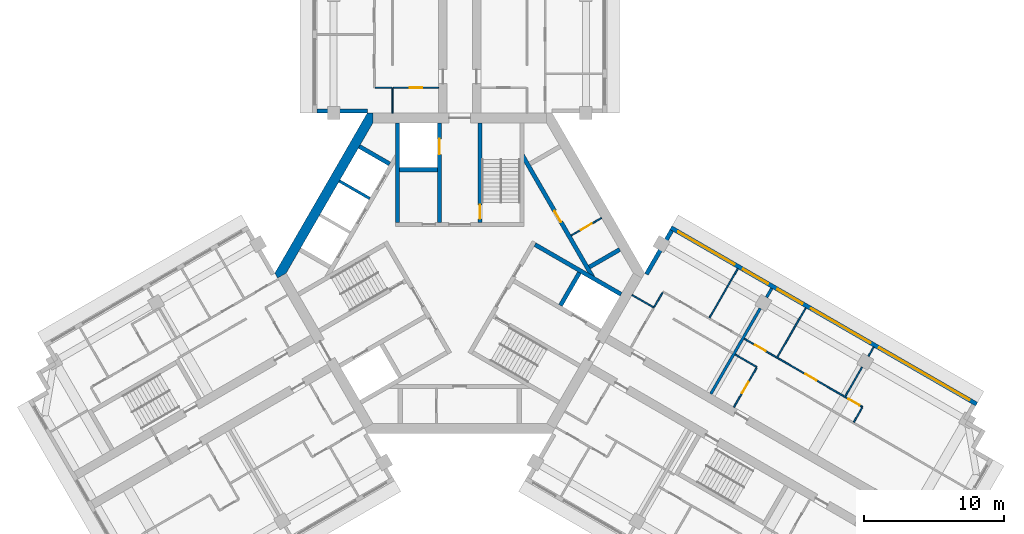
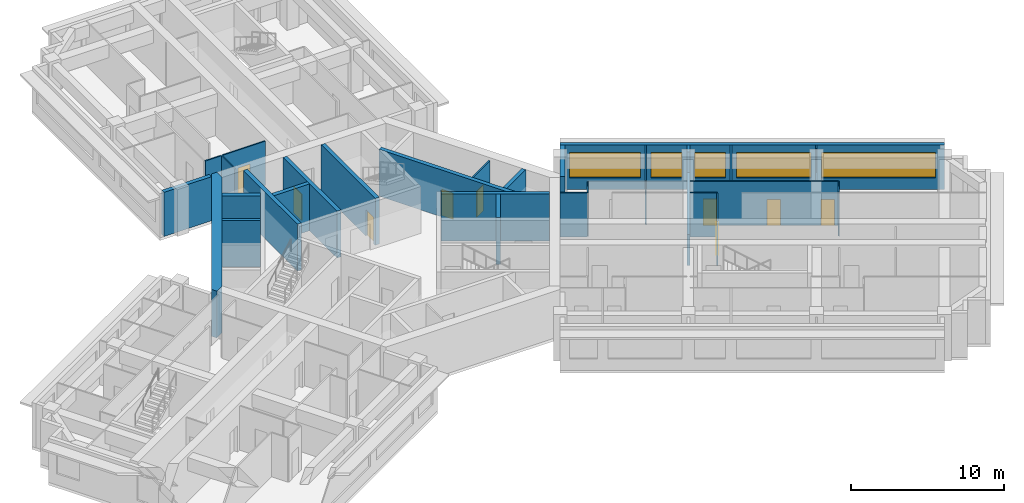
# One storey, part 6 of 10: 30 walls, 9 doors, 5 windows, 14 openings.
"""IFC4 building model written with IfcOpenShell, lengths in metres."""

import ifcopenshell
import ifcopenshell.guid

model = None  # the IFC model being written
_history = None  # IfcOwnerHistory: only IFC2X3 demands one
_inside = {}  # id of a spatial element -> (the spatial element, [elements in it])
_under = {}  # id of a project, library or spatial element -> (it, [spatial elements below it])
_declared = {}  # id of a project -> (the project, [libraries it declares])
_typed = {}  # id of a type object -> (the type object, [elements of that type])
_made_of = {}  # id of a material, layer set ... -> (it, [elements and type objects made of it])


def new_model(schema):
    """Start an empty IFC model of exactly this schema.

    Asked for "IFC4X3", IfcOpenShell would pick the latest addendum, in which some entities
    have other attributes; the version numbers below select the first issue.
    IFC2X3 requires an IfcOwnerHistory on every rooted entity: one is made here for all.
    """
    global model, _history
    if schema == "IFC4X3":
        model = ifcopenshell.file(schema_version=(4, 3, 0, 0))
    else:
        model = ifcopenshell.file(schema=schema)
    _inside.clear()
    _under.clear()
    _declared.clear()
    _typed.clear()
    _made_of.clear()
    _history = None
    if model.schema == "IFC2X3":
        org = make("IfcOrganization", Name="unknown")
        user = make(
            "IfcPersonAndOrganization",
            ThePerson=make("IfcPerson", FamilyName="unknown"),
            TheOrganization=org,
        )
        app = make(
            "IfcApplication",
            ApplicationDeveloper=org,
            Version="unknown",
            ApplicationFullName="unknown",
            ApplicationIdentifier="unknown",
        )
        _history = make(
            "IfcOwnerHistory",
            OwningUser=user,
            OwningApplication=app,
            ChangeAction="ADDED",
            CreationDate=0,
        )
    return model


def make(cls, **values):
    """One entity of the class cls with the attributes given. An attribute that is None is left unset."""
    return model.create_entity(
        cls, **{name: value for name, value in values.items() if value is not None}
    )


def rooted(cls, **values):
    """An entity with a GlobalId (a new one), such as an element, a storey or a relation."""
    return make(cls, GlobalId=ifcopenshell.guid.new(), OwnerHistory=_history, **values)


def si_unit(unit_type, name, prefix=None):
    """IfcSIUnit, for example si_unit("LENGTHUNIT", "METRE", prefix="MILLI")."""
    return make("IfcSIUnit", UnitType=unit_type, Prefix=prefix, Name=name)


def assignment(units):
    """IfcUnitAssignment: the units of a project."""
    return None if units is None else make("IfcUnitAssignment", Units=units)


def point(xyz):
    """IfcCartesianPoint."""
    return None if xyz is None else make("IfcCartesianPoint", Coordinates=xyz)


def direction(xyz):
    """IfcDirection."""
    return None if xyz is None else make("IfcDirection", DirectionRatios=xyz)


def frame(location, z_axis=None, x_axis=None):
    """IfcAxis2Placement3D, a coordinate frame: its origin and axes. An axis left out is left unset."""
    return make(
        "IfcAxis2Placement3D",
        Location=point(location),
        Axis=direction(z_axis),
        RefDirection=direction(x_axis),
    )


def frame_2d(location, x_axis=None):
    """IfcAxis2Placement2D, a coordinate frame in the plane: its origin and x axis."""
    return make(
        "IfcAxis2Placement2D", Location=point(location), RefDirection=direction(x_axis)
    )


def origin():
    """The frame at (0, 0, 0) with its axes left unset."""
    return frame((0.0, 0.0, 0.0))


def place(relative_to, where):
    """IfcLocalPlacement: puts the frame where relative to a parent placement (None: the world)."""
    return make(
        "IfcLocalPlacement", PlacementRelTo=relative_to, RelativePlacement=where
    )


def context(
    kind, dimensions, precision=None, world=None, true_north=None, identifier=None
):
    """IfcGeometricRepresentationContext, for example the 3D "Model" context."""
    return make(
        "IfcGeometricRepresentationContext",
        ContextIdentifier=identifier,
        ContextType=kind,
        CoordinateSpaceDimension=dimensions,
        Precision=precision,
        WorldCoordinateSystem=world,
        TrueNorth=true_north,
    )


def subcontext(parent, identifier, kind, view, scale=None):
    """IfcGeometricRepresentationSubContext, for example "Body" below "Model"."""
    return make(
        "IfcGeometricRepresentationSubContext",
        ContextIdentifier=identifier,
        ContextType=kind,
        ParentContext=parent,
        TargetScale=scale,
        TargetView=view,
    )


def project(units=None, contexts=None):
    """IfcProject with its units and contexts."""
    return rooted(
        "IfcProject",
        Name="project",
        RepresentationContexts=contexts,
        UnitsInContext=assignment(units),
    )


def spatial(cls, under=None, at=None, **own):
    """A site, building, storey or space (cls), placed at a placement, below another one or the project."""
    s = rooted(cls, ObjectPlacement=at, **own)
    if under is not None:
        _under.setdefault(under.id(), (under, []))[1].append(s)
    return s


def polyline(points):
    """IfcPolyline through the points."""
    return make("IfcPolyline", Points=[point(p) for p in points])


def profile(cls, at=None, kind="AREA", **sizes):
    """A parametric profile (cls). Its sizes go by their IFC names, for example OverallWidth=200.0."""
    return make(cls, ProfileType=kind, Position=at, **sizes)


def rectangle(**sizes):
    """IfcRectangleProfileDef."""
    return profile("IfcRectangleProfileDef", **sizes)


def outline(outer, holes=None, kind="AREA"):
    """IfcArbitraryClosedProfileDef: a profile drawn as a closed curve; with holes, ...WithVoids."""
    if holes is None:
        return make("IfcArbitraryClosedProfileDef", ProfileType=kind, OuterCurve=outer)
    return make(
        "IfcArbitraryProfileDefWithVoids",
        ProfileType=kind,
        OuterCurve=outer,
        InnerCurves=holes,
    )


def extrude(swept, where, along, depth):
    """IfcExtrudedAreaSolid: the profile swept, set in the frame where, extruded along a direction by depth."""
    return make(
        "IfcExtrudedAreaSolid",
        SweptArea=swept,
        Position=where,
        ExtrudedDirection=direction(along),
        Depth=depth,
    )


def shape(context_of_items, identifier, shape_type, items):
    """IfcShapeRepresentation: the items that make up one representation, for example the "Body"."""
    return make(
        "IfcShapeRepresentation",
        ContextOfItems=context_of_items,
        RepresentationIdentifier=identifier,
        RepresentationType=shape_type,
        Items=items,
    )


def material(Name=None, Category=None):
    """IfcMaterial."""
    return make("IfcMaterial", Name=Name, Category=Category)


def layer(
    of_material, thickness, ventilated=None, Name=None, Category=None, Priority=None
):
    """IfcMaterialLayer: one layer of a wall or slab, of a material (None: an air gap)."""
    return make(
        "IfcMaterialLayer",
        Material=of_material,
        LayerThickness=thickness,
        IsVentilated=ventilated,
        Name=Name,
        Category=Category,
        Priority=Priority,
    )


def layer_set(layers, Name=None):
    """IfcMaterialLayerSet."""
    return make("IfcMaterialLayerSet", MaterialLayers=layers, LayerSetName=Name)


def made_of(thing, what):
    """Note that an element or type object is made of a material, layer set ...; save() writes the relation."""
    if what is not None:
        _made_of.setdefault(what.id(), (what, []))[1].append(thing)
    return thing


def type_object(cls, material=None, **own):
    """A type object (cls), such as IfcWallType, which elements share."""
    return made_of(rooted(cls, **own), material)


def element(
    cls,
    number,
    at=None,
    inside=None,
    cuts=None,
    type_object=None,
    material=None,
    context=None,
    identifier="Body",
    shape_type=None,
    held_by="IfcProductDefinitionShape",
    body=None,
    shapes=None,
    **own,
):
    """One element of the class cls, such as IfcWall. Its Tag is "e" and its number.

    at: its placement. inside: the storey or other place that contains it. cuts: it is an
    opening in that element (IfcRelVoidsElement). A single representation is given by context,
    identifier, shape_type and body (its items); several are given by shapes. held_by: the class
    of the entity that holds the representations. save() writes the other relations.
    """
    e = rooted(cls, Tag="e%d" % number, ObjectPlacement=at, **own)
    if body is not None:
        shapes = [shape(context, identifier, shape_type, body)]
    if shapes is not None:
        e.Representation = make(held_by, Representations=shapes)
    if inside is not None:
        _inside.setdefault(inside.id(), (inside, []))[1].append(e)
    if cuts is not None:
        rooted(
            "IfcRelVoidsElement", RelatingBuildingElement=cuts, RelatedOpeningElement=e
        )
    if type_object is not None:
        _typed.setdefault(type_object.id(), (type_object, []))[1].append(e)
    return made_of(e, material)


def fill(opening, filler):
    """IfcRelFillsElement: the door or window that sits in an opening."""
    return rooted(
        "IfcRelFillsElement",
        RelatingOpeningElement=opening,
        RelatedBuildingElement=filler,
    )


def aggregate(whole, parts):
    """IfcRelAggregates: a whole, such as a stair, and the parts it consists of."""
    return rooted("IfcRelAggregates", RelatingObject=whole, RelatedObjects=parts)


def save(model, path):
    """Write the relations noted so far, then the file.

    IfcRelAggregates (storeys below a building ...), IfcRelContainedInSpatialStructure (elements
    in a storey), IfcRelDefinesByType, IfcRelAssociatesMaterial and IfcRelDeclares: one each for
    every whole, place, type object, material and project.
    """
    for whole, parts in _under.values():
        aggregate(whole, parts)
    for where, things in _inside.values():
        rooted(
            "IfcRelContainedInSpatialStructure",
            RelatedElements=things,
            RelatingStructure=where,
        )
    for kind, things in _typed.values():
        rooted("IfcRelDefinesByType", RelatedObjects=things, RelatingType=kind)
    for what, things in _made_of.values():
        rooted("IfcRelAssociatesMaterial", RelatedObjects=things, RelatingMaterial=what)
    for by, libraries in _declared.values():
        rooted("IfcRelDeclares", RelatingContext=by, RelatedDefinitions=libraries)
    model.write(path)


model = new_model("IFC4")

# Units and contexts
model_context = context("Model", 3, precision=1e-05, world=origin(), true_north=direction((0.0, 1.0)))
body_context = subcontext(model_context, "Body", "Model", "MODEL_VIEW")
ifc_project = project(units=[si_unit("LENGTHUNIT", "METRE"), si_unit("AREAUNIT", "SQUARE_METRE"), si_unit("VOLUMEUNIT", "CUBIC_METRE"), si_unit("PLANEANGLEUNIT", "RADIAN"), si_unit("MASSUNIT", "GRAM", prefix="KILO")], contexts=[model_context])

# Site, building, storey
site_placement = place(None, origin())
site = spatial("IfcSite", under=ifc_project, at=site_placement, CompositionType="ELEMENT")
building_placement = place(site_placement, origin())
building = spatial("IfcBuilding", under=site, at=building_placement, Name="Impinga Residences", CompositionType="ELEMENT")
storey_placement = place(building_placement, frame((0.0, 0.0, 226.0)))
storey = spatial("IfcBuildingStorey", under=building, at=storey_placement, Name="L56", CompositionType="ELEMENT", Elevation=226.0)

# Wall, opening, door
ifc_material_1 = material(Name="Concrete blockwork", Category="masonry")
ifc_layer_1 = layer(ifc_material_1, 0.10009765625)
ifc_layer_set_1 = layer_set([ifc_layer_1], Name="CP1 core room partition, blockwork 100")
wall_type_1 = type_object("IfcWallType", Name="CP1 core room partition, blockwork 100", PredefinedType="PARTITIONING", material=ifc_layer_set_1)
wall_1_placement = place(storey_placement, frame((7.95361328125, 2.686767578125, 0.0), z_axis=(0.0, 0.0, 1.0), x_axis=(0.866047370643, 0.499961950354, 0.0)))
wall_1 = element("IfcWall", 1, at=wall_1_placement, inside=storey, type_object=wall_type_1, Name="Core room partition, blockwork L56:CORE:mid:ZP1", PredefinedType="PARTITIONING", context=body_context, shape_type="SweptSolid", body=[
    extrude(rectangle(XDim=2.500244140625, YDim=0.10009765625, at=frame_2d((1.25, 0.0))), origin(), (0.0, 0.0, 1.0), 3.530029296875),
])
opening_1_placement = place(wall_1_placement, frame((0.800048828125, 0.0, 0.0)))
opening_1 = element("IfcOpeningElement", 2, at=opening_1_placement, cuts=wall_1, Name="Opening D6", PredefinedType="OPENING", context=body_context, shape_type="SweptSolid", body=[
    extrude(rectangle(XDim=0.89990234375, YDim=2.10009765625, at=frame_2d((0.449951171875, 1.050048828125))), frame((0.0, 0.06005859375, 0.0), z_axis=(0.0, -1.0, 0.0), x_axis=(1.0, 0.0, 0.0)), (0.0, 0.0, 1.0), 0.1201171875),
])
ifc_material_2 = material(Name="Timber door set", Category="wood")
door_type_1 = type_object("IfcDoorType", Name="D6 riser and store door 900x2100", OperationType="SINGLE_SWING_LEFT", PredefinedType="DOOR", material=ifc_material_2)
door_1_placement = place(opening_1_placement, origin())
door_1 = element("IfcDoor", 3, at=door_1_placement, inside=storey, type_object=door_type_1, Name="Linen store door", OperationType="SINGLE_SWING_LEFT", OverallHeight=2.10009765625, OverallWidth=0.89990234375, PredefinedType="DOOR", context=body_context, shape_type="SweptSolid", body=[
    extrude(rectangle(XDim=0.89990234375, YDim=2.10009765625, at=frame_2d((0.449951171875, 1.050048828125))), frame((0.0, 0.02490234375, 0.0), z_axis=(0.0, -1.0, 0.0), x_axis=(1.0, 0.0, 0.0)), (0.0, 0.0, 1.0), 0.050048828125),
])
fill(opening_1, door_1)

# Walls
ifc_material_3 = material(Name="Terracotta rainscreen on blockwork", Category="masonry")
ifc_layer_2 = layer(ifc_material_3, 0.300048828125)
ifc_layer_set_2 = layer_set([ifc_layer_2], Name="EW1 external wall, terracotta rainscreen on blockwork 300")
wall_type_2 = type_object("IfcWallType", Name="EW1 external wall, terracotta rainscreen on blockwork 300", PredefinedType="SOLIDWALL", material=ifc_layer_set_2)
wall_2_placement = place(storey_placement, frame((-6.60009765625, 11.58154296875, 0.0), z_axis=(0.0, 0.0, 1.0), x_axis=(-1.0, 0.0, 0.0)))
element("IfcWall", 4, at=wall_2_placement, inside=storey, type_object=wall_type_2, Name="External wall EW1 L56", PredefinedType="SOLIDWALL", context=body_context, shape_type="SweptSolid", body=[
    extrude(rectangle(XDim=3.599853515625, YDim=0.300048828125, at=frame_2d((1.7998046875, 0.0))), origin(), (0.0, 0.0, 1.0), 3.530029296875),
])
wall_3_placement = place(storey_placement, frame((13.329833984375, -0.074951171875, 0.0), z_axis=(0.0, 0.0, 1.0), x_axis=(0.500012057535, 0.866018442252, 0.0)))
element("IfcWall", 5, at=wall_3_placement, inside=storey, type_object=wall_type_2, Name="External wall EW1 L56", PredefinedType="SOLIDWALL", context=body_context, shape_type="SweptSolid", body=[
    extrude(rectangle(XDim=3.60009765625, YDim=0.300048828125, at=frame_2d((1.800048828125, 0.0))), origin(), (0.0, 0.0, 1.0), 3.530029296875),
])

# Wall, openings, windows
wall_4_placement = place(storey_placement, frame((15.074951171875, 3.24755859375, 0.0), z_axis=(0.0, 0.0, 1.0), x_axis=(0.86602925447, -0.499993330357, 0.0)))
wall_4 = element("IfcWall", 6, at=wall_4_placement, inside=storey, type_object=wall_type_2, Name="External wall EW1 L56", PredefinedType="SOLIDWALL", context=body_context, shape_type="SweptSolid", body=[
    extrude(rectangle(XDim=25.199951171875, YDim=0.300048828125, at=frame_2d((12.60009765625, 0.0))), origin(), (0.0, 0.0, 1.0), 3.530029296875),
])
opening_2_placement = place(wall_4_placement, frame((0.60009765625, 0.0, 0.89990234375)))
opening_2 = element("IfcOpeningElement", 7, at=opening_2_placement, cuts=wall_4, Name="Opening W10", PredefinedType="OPENING", context=body_context, shape_type="SweptSolid", body=[
    extrude(rectangle(XDim=4.64990234375, YDim=2.050048828125, at=frame_2d((2.324951171875, 1.02490234375))), frame((0.0, 0.159912109375, 0.0), z_axis=(0.0, -1.0, 0.0), x_axis=(1.0, 0.0, 0.0)), (0.0, 0.0, 1.0), 0.320068359375),
])
opening_3_placement = place(wall_4_placement, frame((5.949951171875, 0.0, 0.89990234375)))
opening_3 = element("IfcOpeningElement", 8, at=opening_3_placement, cuts=wall_4, Name="Opening W14", PredefinedType="OPENING", context=body_context, shape_type="SweptSolid", body=[
    extrude(rectangle(XDim=2.050048828125, YDim=2.050048828125, at=frame_2d((1.02490234375, 1.02490234375))), frame((0.0, 0.159912109375, 0.0), z_axis=(0.0, -1.0, 0.0), x_axis=(1.0, 0.0, 0.0)), (0.0, 0.0, 1.0), 0.320068359375),
])
opening_4_placement = place(wall_4_placement, frame((8.800048828125, 0.0, 0.89990234375)))
opening_4 = element("IfcOpeningElement", 9, at=opening_4_placement, cuts=wall_4, Name="Opening W14", PredefinedType="OPENING", context=body_context, shape_type="SweptSolid", body=[
    extrude(rectangle(XDim=2.050048828125, YDim=2.050048828125, at=frame_2d((1.02490234375, 1.02490234375))), frame((0.0, 0.159912109375, 0.0), z_axis=(0.0, -1.0, 0.0), x_axis=(1.0, 0.0, 0.0)), (0.0, 0.0, 1.0), 0.320068359375),
])
opening_5_placement = place(wall_4_placement, frame((11.550048828125, 0.0, 0.89990234375)))
opening_5 = element("IfcOpeningElement", 10, at=opening_5_placement, cuts=wall_4, Name="Opening W16", PredefinedType="OPENING", context=body_context, shape_type="SweptSolid", body=[
    extrude(rectangle(XDim=4.89990234375, YDim=2.050048828125, at=frame_2d((2.449951171875, 1.02490234375))), frame((0.0, 0.159912109375, 0.0), z_axis=(0.0, -1.0, 0.0), x_axis=(1.0, 0.0, 0.0)), (0.0, 0.0, 1.0), 0.320068359375),
])
opening_6_placement = place(wall_4_placement, frame((17.14990234375, 0.0, 0.89990234375)))
opening_6 = element("IfcOpeningElement", 11, at=opening_6_placement, cuts=wall_4, Name="Opening W7", PredefinedType="OPENING", context=body_context, shape_type="SweptSolid", body=[
    extrude(rectangle(XDim=7.449951171875, YDim=2.050048828125, at=frame_2d((3.72509765625, 1.02490234375))), frame((0.0, 0.159912109375, 0.0), z_axis=(0.0, -1.0, 0.0), x_axis=(1.0, 0.0, 0.0)), (0.0, 0.0, 1.0), 0.320068359375),
])
ifc_material_4 = material(Name="Aluminium window, clear double glazing", Category="aluminium")
window_type_1 = type_object("IfcWindowType", Name="W10 ribbon window 4650x2050", PartitioningType="SINGLE_PANEL", PredefinedType="WINDOW", material=ifc_material_4)
window_1_placement = place(opening_2_placement, origin())
window_1 = element("IfcWindow", 12, at=window_1_placement, inside=storey, type_object=window_type_1, Name="Window L56", OverallHeight=2.050048828125, OverallWidth=4.64990234375, PartitioningType="SINGLE_PANEL", PredefinedType="WINDOW", context=body_context, shape_type="SweptSolid", body=[
    extrude(rectangle(XDim=4.64990234375, YDim=2.050048828125, at=frame_2d((2.324951171875, 1.02490234375))), frame((0.0, 0.030029296875, 0.0), z_axis=(0.0, -1.0, 0.0), x_axis=(1.0, 0.0, 0.0)), (0.0, 0.0, 1.0), 0.06005859375),
])
fill(opening_2, window_1)
window_type_2 = type_object("IfcWindowType", Name="W14 ribbon window 2050x2050", PartitioningType="SINGLE_PANEL", PredefinedType="WINDOW", material=ifc_material_4)
window_2_placement = place(opening_3_placement, origin())
window_2 = element("IfcWindow", 13, at=window_2_placement, inside=storey, type_object=window_type_2, Name="Window L56", OverallHeight=2.050048828125, OverallWidth=2.050048828125, PartitioningType="SINGLE_PANEL", PredefinedType="WINDOW", context=body_context, shape_type="SweptSolid", body=[
    extrude(rectangle(XDim=2.050048828125, YDim=2.050048828125, at=frame_2d((1.02490234375, 1.02490234375))), frame((0.0, 0.030029296875, 0.0), z_axis=(0.0, -1.0, 0.0), x_axis=(1.0, 0.0, 0.0)), (0.0, 0.0, 1.0), 0.06005859375),
])
fill(opening_3, window_2)
window_3_placement = place(opening_4_placement, origin())
window_3 = element("IfcWindow", 14, at=window_3_placement, inside=storey, type_object=window_type_2, Name="Window L56", OverallHeight=2.050048828125, OverallWidth=2.050048828125, PartitioningType="SINGLE_PANEL", PredefinedType="WINDOW", context=body_context, shape_type="SweptSolid", body=[
    extrude(rectangle(XDim=2.050048828125, YDim=2.050048828125, at=frame_2d((1.02490234375, 1.02490234375))), frame((0.0, 0.030029296875, 0.0), z_axis=(0.0, -1.0, 0.0), x_axis=(1.0, 0.0, 0.0)), (0.0, 0.0, 1.0), 0.06005859375),
])
fill(opening_4, window_3)
window_type_3 = type_object("IfcWindowType", Name="W16 ribbon window 4900x2050", PartitioningType="SINGLE_PANEL", PredefinedType="WINDOW", material=ifc_material_4)
window_4_placement = place(opening_5_placement, origin())
window_4 = element("IfcWindow", 15, at=window_4_placement, inside=storey, type_object=window_type_3, Name="Window L56", OverallHeight=2.050048828125, OverallWidth=4.89990234375, PartitioningType="SINGLE_PANEL", PredefinedType="WINDOW", context=body_context, shape_type="SweptSolid", body=[
    extrude(rectangle(XDim=4.89990234375, YDim=2.050048828125, at=frame_2d((2.449951171875, 1.02490234375))), frame((0.0, 0.030029296875, 0.0), z_axis=(0.0, -1.0, 0.0), x_axis=(1.0, 0.0, 0.0)), (0.0, 0.0, 1.0), 0.06005859375),
])
fill(opening_5, window_4)
window_type_4 = type_object("IfcWindowType", Name="W7 ribbon window 7450x2050", PartitioningType="SINGLE_PANEL", PredefinedType="WINDOW", material=ifc_material_4)
window_5_placement = place(opening_6_placement, origin())
window_5 = element("IfcWindow", 16, at=window_5_placement, inside=storey, type_object=window_type_4, Name="Window L56", OverallHeight=2.050048828125, OverallWidth=7.449951171875, PartitioningType="SINGLE_PANEL", PredefinedType="WINDOW", context=body_context, shape_type="SweptSolid", body=[
    extrude(rectangle(XDim=7.449951171875, YDim=2.050048828125, at=frame_2d((3.72509765625, 1.02490234375))), frame((0.0, 0.030029296875, 0.0), z_axis=(0.0, -1.0, 0.0), x_axis=(1.0, 0.0, 0.0)), (0.0, 0.0, 1.0), 0.06005859375),
])
fill(opening_6, window_5)

# Walls
ifc_material_5 = material(Name="Gypsum board on steel studs", Category="steel")
ifc_layer_3 = layer(ifc_material_5, 0.10009765625)
ifc_layer_set_3 = layer_set([ifc_layer_3], Name="Gypsum board on steel studs")
wall_type_3 = type_object("IfcWallType", Name="IP1 partition 100", PredefinedType="PARTITIONING", material=ifc_layer_set_3)
wall_5_placement = place(storey_placement, frame((-4.800048828125, 11.431640625, 0.0), z_axis=(0.0, 0.0, 1.0), x_axis=(0.0, 1.0, 0.0)))
element("IfcWall", 17, at=wall_5_placement, inside=storey, type_object=wall_type_3, Name="Partition L56-NA1:DIV0", PredefinedType="PARTITIONING", context=body_context, shape_type="SweptSolid", body=[
    extrude(rectangle(XDim=1.7998046875, YDim=0.10009765625, at=frame_2d((0.89990234375, 0.0))), origin(), (0.0, 0.0, 1.0), 3.530029296875),
])
wall_6_placement = place(storey_placement, frame((-4.85009765625, 13.2314453125, 0.0), z_axis=(0.0, 0.0, 1.0), x_axis=(-1.0, 0.0, 0.0)))
element("IfcWall", 18, at=wall_6_placement, inside=storey, type_object=wall_type_3, Name="Partition L56-NA1:SE0", PredefinedType="PARTITIONING", context=body_context, shape_type="SweptSolid", body=[
    extrude(rectangle(XDim=1.199951171875, YDim=0.10009765625, at=frame_2d((0.60009765625, 0.0))), origin(), (0.0, 0.0, 1.0), 3.530029296875),
])

# Wall, opening, door
wall_7_placement = place(storey_placement, frame((-1.5, 13.2314453125, 0.0), z_axis=(0.0, 0.0, 1.0), x_axis=(-1.0, 0.0, 0.0)))
wall_7 = element("IfcWall", 19, at=wall_7_placement, inside=storey, type_object=wall_type_3, Name="Partition L56-NA1:IB1", PredefinedType="PARTITIONING", context=body_context, shape_type="SweptSolid", body=[
    extrude(rectangle(XDim=3.25, YDim=0.10009765625, at=frame_2d((1.625, 0.0))), origin(), (0.0, 0.0, 1.0), 3.530029296875),
])
opening_7_placement = place(wall_7_placement, frame((1.175048828125, 0.0, 0.0)))
opening_7 = element("IfcOpeningElement", 20, at=opening_7_placement, cuts=wall_7, Name="Opening D2", PredefinedType="OPENING", context=body_context, shape_type="SweptSolid", body=[
    extrude(rectangle(XDim=0.89990234375, YDim=2.10009765625, at=frame_2d((0.449951171875, 1.050048828125))), frame((0.0, 0.06005859375, 0.0), z_axis=(0.0, -1.0, 0.0), x_axis=(1.0, 0.0, 0.0)), (0.0, 0.0, 1.0), 0.1201171875),
])
door_type_2 = type_object("IfcDoorType", Name="D2 internal door 900x2100", OperationType="SINGLE_SWING_LEFT", PredefinedType="DOOR", material=ifc_material_2)
door_2_placement = place(opening_7_placement, origin())
door_2 = element("IfcDoor", 21, at=door_2_placement, inside=storey, type_object=door_type_2, Name="Apartment L56-NA1 bathroom door", OperationType="SINGLE_SWING_LEFT", OverallHeight=2.10009765625, OverallWidth=0.89990234375, PredefinedType="DOOR", context=body_context, shape_type="SweptSolid", body=[
    extrude(rectangle(XDim=0.89990234375, YDim=2.10009765625, at=frame_2d((0.449951171875, 1.050048828125))), frame((0.0, 0.02490234375, 0.0), z_axis=(0.0, -1.0, 0.0), x_axis=(1.0, 0.0, 0.0)), (0.0, 0.0, 1.0), 0.050048828125),
])
fill(opening_7, door_2)

# Walls
wall_8_placement = place(storey_placement, frame((12.300048828125, -1.558837890625, 0.0), z_axis=(0.0, 0.0, 1.0), x_axis=(0.866047807691, -0.499961193289, 0.0)))
element("IfcWall", 22, at=wall_8_placement, inside=storey, type_object=wall_type_3, Name="Partition L56-EA1:DIV0", PredefinedType="PARTITIONING", context=body_context, shape_type="SweptSolid", body=[
    extrude(rectangle(XDim=1.800048828125, YDim=0.10009765625, at=frame_2d((0.89990234375, 0.0))), origin(), (0.0, 0.0, 1.0), 3.530029296875),
])
wall_9_placement = place(storey_placement, frame((13.8837890625, -2.41552734375, 0.0), z_axis=(0.0, 0.0, 1.0), x_axis=(0.500033551112, 0.866006032174, 0.0)))
element("IfcWall", 23, at=wall_9_placement, inside=storey, type_object=wall_type_3, Name="Partition L56-EA1:SE0", PredefinedType="PARTITIONING", context=body_context, shape_type="SweptSolid", body=[
    extrude(rectangle(XDim=1.2001953125, YDim=0.10009765625, at=frame_2d((0.60009765625, 0.0))), origin(), (0.0, 0.0, 1.0), 3.530029296875),
])
wall_10_placement = place(storey_placement, frame((17.82470703125, -3.189697265625, 0.0), z_axis=(0.0, 0.0, 1.0), x_axis=(0.500035537042, 0.866004885491, 0.0)))
element("IfcWall", 24, at=wall_10_placement, inside=storey, type_object=wall_type_3, Name="Partition L56-EA1:OB1", PredefinedType="PARTITIONING", context=body_context, shape_type="SweptSolid", body=[
    extrude(rectangle(XDim=4.050048828125, YDim=0.10009765625, at=frame_2d((2.02490234375, 0.0))), origin(), (0.0, 0.0, 1.0), 3.530029296875),
])
wall_11_placement = place(storey_placement, frame((19.6611328125, -5.808837890625, 0.0), z_axis=(0.0, 0.0, 1.0), x_axis=(0.866047807691, -0.499961193289, 0.0)))
element("IfcWall", 25, at=wall_11_placement, inside=storey, type_object=wall_type_3, Name="Partition L56-EA2:DIV0", PredefinedType="PARTITIONING", context=body_context, shape_type="SweptSolid", body=[
    extrude(rectangle(XDim=1.800048828125, YDim=0.10009765625, at=frame_2d((0.89990234375, 0.0))), origin(), (0.0, 0.0, 1.0), 3.530029296875),
])

# Wall, openings, doors
wall_12_placement = place(storey_placement, frame((20.311279296875, -4.68310546875, 0.0), z_axis=(0.0, 0.0, 1.0), x_axis=(0.866021707014, -0.500006402939, 0.0)))
wall_12 = element("IfcWall", 26, at=wall_12_placement, inside=storey, type_object=wall_type_3, Name="Partition L56-EA2:STRIP", PredefinedType="PARTITIONING", context=body_context, shape_type="SweptSolid", body=[
    extrude(rectangle(XDim=9.749755859375, YDim=0.10009765625, at=frame_2d((4.875, 0.0))), origin(), (0.0, 0.0, 1.0), 3.530029296875),
])
opening_8_placement = place(wall_12_placement, frame((0.875, 0.0, 0.0)))
opening_8 = element("IfcOpeningElement", 27, at=opening_8_placement, cuts=wall_12, Name="Opening D2", PredefinedType="OPENING", context=body_context, shape_type="SweptSolid", body=[
    extrude(rectangle(XDim=0.89990234375, YDim=2.10009765625, at=frame_2d((0.449951171875, 1.050048828125))), frame((0.0, 0.06005859375, 0.0), z_axis=(0.0, -1.0, 0.0), x_axis=(1.0, 0.0, 0.0)), (0.0, 0.0, 1.0), 0.1201171875),
])
opening_9_placement = place(wall_12_placement, frame((5.050048828125, 0.0, 0.0)))
opening_9 = element("IfcOpeningElement", 28, at=opening_9_placement, cuts=wall_12, Name="Opening D2", PredefinedType="OPENING", context=body_context, shape_type="SweptSolid", body=[
    extrude(rectangle(XDim=0.89990234375, YDim=2.10009765625, at=frame_2d((0.449951171875, 1.050048828125))), frame((0.0, 0.06005859375, 0.0), z_axis=(0.0, -1.0, 0.0), x_axis=(1.0, 0.0, 0.0)), (0.0, 0.0, 1.0), 0.1201171875),
])
opening_10_placement = place(wall_12_placement, frame((8.60009765625, 0.0, 0.0)))
opening_10 = element("IfcOpeningElement", 29, at=opening_10_placement, cuts=wall_12, Name="Opening D2", PredefinedType="OPENING", context=body_context, shape_type="SweptSolid", body=[
    extrude(rectangle(XDim=0.89990234375, YDim=2.10009765625, at=frame_2d((0.449951171875, 1.050048828125))), frame((0.0, 0.06005859375, 0.0), z_axis=(0.0, -1.0, 0.0), x_axis=(1.0, 0.0, 0.0)), (0.0, 0.0, 1.0), 0.1201171875),
])
door_3_placement = place(opening_8_placement, origin())
door_3 = element("IfcDoor", 30, at=door_3_placement, inside=storey, type_object=door_type_2, Name="Apartment L56-EA2 room door", OperationType="SINGLE_SWING_LEFT", OverallHeight=2.10009765625, OverallWidth=0.89990234375, PredefinedType="DOOR", context=body_context, shape_type="SweptSolid", body=[
    extrude(rectangle(XDim=0.89990234375, YDim=2.10009765625, at=frame_2d((0.449951171875, 1.050048828125))), frame((0.0, 0.02490234375, 0.0), z_axis=(0.0, -1.0, 0.0), x_axis=(1.0, 0.0, 0.0)), (0.0, 0.0, 1.0), 0.050048828125),
])
fill(opening_8, door_3)
door_4_placement = place(opening_9_placement, origin())
door_4 = element("IfcDoor", 31, at=door_4_placement, inside=storey, type_object=door_type_2, Name="Apartment L56-EA2 room door", OperationType="SINGLE_SWING_RIGHT", OverallHeight=2.10009765625, OverallWidth=0.89990234375, PredefinedType="DOOR", context=body_context, shape_type="SweptSolid", body=[
    extrude(rectangle(XDim=0.89990234375, YDim=2.10009765625, at=frame_2d((0.449951171875, 1.050048828125))), frame((0.0, 0.02490234375, 0.0), z_axis=(0.0, -1.0, 0.0), x_axis=(1.0, 0.0, 0.0)), (0.0, 0.0, 1.0), 0.050048828125),
])
fill(opening_9, door_4)
door_5_placement = place(opening_10_placement, origin())
door_5 = element("IfcDoor", 32, at=door_5_placement, inside=storey, type_object=door_type_2, Name="Apartment L56-EA2 room door", OperationType="SINGLE_SWING_RIGHT", OverallHeight=2.10009765625, OverallWidth=0.89990234375, PredefinedType="DOOR", context=body_context, shape_type="SweptSolid", body=[
    extrude(rectangle(XDim=0.89990234375, YDim=2.10009765625, at=frame_2d((0.449951171875, 1.050048828125))), frame((0.0, 0.02490234375, 0.0), z_axis=(0.0, -1.0, 0.0), x_axis=(1.0, 0.0, 0.0)), (0.0, 0.0, 1.0), 0.050048828125),
])
fill(opening_10, door_5)

# Wall
wall_13_placement = place(storey_placement, frame((28.1298828125, -10.640625, 0.0), z_axis=(0.0, 0.0, 1.0), x_axis=(0.500033551112, 0.866006032174, 0.0)))
element("IfcWall", 33, at=wall_13_placement, inside=storey, type_object=wall_type_3, Name="Partition L56-EA2:SE1", PredefinedType="PARTITIONING", context=body_context, shape_type="SweptSolid", body=[
    extrude(rectangle(XDim=1.2001953125, YDim=0.10009765625, at=frame_2d((0.60009765625, 0.0))), origin(), (0.0, 0.0, 1.0), 3.530029296875),
])

# Wall, opening, door
wall_14_placement = place(storey_placement, frame((19.570068359375, -9.566650390625, 0.0), z_axis=(0.0, 0.0, 1.0), x_axis=(0.500017246033, 0.866015446554, 0.0)))
wall_14 = element("IfcWall", 34, at=wall_14_placement, inside=storey, type_object=wall_type_3, Name="Partition L56-EA2:IB1", PredefinedType="PARTITIONING", context=body_context, shape_type="SweptSolid", body=[
    extrude(rectangle(XDim=3.25, YDim=0.10009765625, at=frame_2d((1.625, 0.0))), origin(), (0.0, 0.0, 1.0), 3.530029296875),
])
opening_11_placement = place(wall_14_placement, frame((1.175048828125, 0.0, 0.0)))
opening_11 = element("IfcOpeningElement", 35, at=opening_11_placement, cuts=wall_14, Name="Opening D2", PredefinedType="OPENING", context=body_context, shape_type="SweptSolid", body=[
    extrude(rectangle(XDim=0.89990234375, YDim=2.10009765625, at=frame_2d((0.449951171875, 1.050048828125))), frame((0.0, 0.06005859375, 0.0), z_axis=(0.0, -1.0, 0.0), x_axis=(1.0, 0.0, 0.0)), (0.0, 0.0, 1.0), 0.1201171875),
])
door_6_placement = place(opening_11_placement, origin())
door_6 = element("IfcDoor", 36, at=door_6_placement, inside=storey, type_object=door_type_2, Name="Apartment L56-EA2 bathroom door", OperationType="SINGLE_SWING_LEFT", OverallHeight=2.10009765625, OverallWidth=0.89990234375, PredefinedType="DOOR", context=body_context, shape_type="SweptSolid", body=[
    extrude(rectangle(XDim=0.89990234375, YDim=2.10009765625, at=frame_2d((0.449951171875, 1.050048828125))), frame((0.0, 0.02490234375, 0.0), z_axis=(0.0, -1.0, 0.0), x_axis=(1.0, 0.0, 0.0)), (0.0, 0.0, 1.0), 0.050048828125),
])
fill(opening_11, door_6)

# Walls
wall_15_placement = place(storey_placement, frame((22.674560546875, -5.98974609375, 0.0), z_axis=(0.0, 0.0, 1.0), x_axis=(0.499990325971, 0.866030989016, 0.0)))
element("IfcWall", 37, at=wall_15_placement, inside=storey, type_object=wall_type_3, Name="Partition L56-EA2:OB1", PredefinedType="PARTITIONING", context=body_context, shape_type="SweptSolid", body=[
    extrude(rectangle(XDim=4.0498046875, YDim=0.10009765625, at=frame_2d((2.02490234375, 0.0))), origin(), (0.0, 0.0, 1.0), 3.530029296875),
])
wall_16_placement = place(storey_placement, frame((27.524169921875, -8.789794921875, 0.0), z_axis=(0.0, 0.0, 1.0), x_axis=(0.499957262057, 0.866050077142, 0.0)))
element("IfcWall", 38, at=wall_16_placement, inside=storey, type_object=wall_type_3, Name="Partition L56-EA2:OB2", PredefinedType="PARTITIONING", context=body_context, shape_type="SweptSolid", body=[
    extrude(rectangle(XDim=2.400146484375, YDim=0.10009765625, at=frame_2d((1.2001953125, 0.0))), origin(), (0.0, 0.0, 1.0), 2.47998046875),
])
wall_17_placement = place(storey_placement, frame((29.17431640625, -5.931884765625, 0.0), z_axis=(0.0, 0.0, 1.0), x_axis=(0.499919672301, 0.866071776036, 0.0)))
element("IfcWall", 39, at=wall_17_placement, inside=storey, type_object=wall_type_3, Name="Partition L56-EA2:OB2b", PredefinedType="PARTITIONING", context=body_context, shape_type="SweptSolid", body=[
    extrude(rectangle(XDim=0.75, YDim=0.10009765625, at=frame_2d((0.375, 0.0))), origin(), (0.0, 0.0, 1.0), 3.530029296875),
])
ifc_layer_4 = layer(ifc_material_1, 0.199951171875)
ifc_layer_set_4 = layer_set([ifc_layer_4], Name="PW1 party wall between apartments 200")
wall_type_4 = type_object("IfcWallType", Name="PW1 party wall between apartments 200", PredefinedType="SOLIDWALL", material=ifc_layer_set_4)
wall_18_placement = place(storey_placement, frame((17.924560546875, -8.61669921875, 0.0), z_axis=(0.0, 0.0, 1.0), x_axis=(0.500016218704, 0.866016039709, 0.0)))
element("IfcWall", 40, at=wall_18_placement, inside=storey, type_object=wall_type_4, Name="Party wall between apartments L56-EA1:PARTY", PredefinedType="SOLIDWALL", context=body_context, shape_type="SweptSolid", body=[
    extrude(rectangle(XDim=7.050048828125, YDim=0.199951171875, at=frame_2d((3.52490234375, 0.0))), origin(), (0.0, 0.0, 1.0), 2.47998046875),
])
wall_19_placement = place(storey_placement, frame((21.899658203125, -1.73193359375, 0.0), z_axis=(0.0, 0.0, 1.0), x_axis=(0.499919672301, 0.866071776036, 0.0)))
element("IfcWall", 41, at=wall_19_placement, inside=storey, type_object=wall_type_4, Name="Party wall between apartments L56-EA1:PARTYb", PredefinedType="SOLIDWALL", context=body_context, shape_type="SweptSolid", body=[
    extrude(rectangle(XDim=0.75, YDim=0.199951171875, at=frame_2d((0.375, 0.0))), origin(), (0.0, 0.0, 1.0), 3.530029296875),
])
ifc_material_6 = material(Name="Concrete C60/75", Category="concrete")
ifc_layer_5 = layer(ifc_material_6, 0.699951171875)
ifc_layer_set_5 = layer_set([ifc_layer_5], Name="Concrete C60/75")
wall_type_5 = type_object("IfcWallType", Name="SW3 core wall 700", PredefinedType="SHEAR", material=ifc_layer_set_5)
wall_20_placement = place(storey_placement, origin())
element("IfcWall", 42, at=wall_20_placement, inside=storey, type_object=wall_type_5, Name="Core wall SW3 E:EXPOSED L56", PredefinedType="SHEAR", context=body_context, shape_type="SweptSolid", body=[
    extrude(outline(polyline([(-6.60009765625, 11.431640625), (-13.199951171875, 0.0), (-12.998046875, -0.35009765625), (-12.3916015625, 0.0), (-6.19580078125, 10.7314453125), (-6.19580078125, 11.431640625), (-6.60009765625, 11.431640625)])), origin(), (0.0, 0.0, 1.0), 3.75),
])

# Wall, opening, door
ifc_material_7 = material(Name="Concrete C70/85", Category="concrete")
ifc_layer_6 = layer(ifc_material_7, 0.300048828125)
ifc_layer_set_6 = layer_set([ifc_layer_6], Name="Concrete C70/85")
wall_type_6 = type_object("IfcWallType", Name="SW5 core inner wall, stairs, shafts and lobbies 300", PredefinedType="SHEAR", material=ifc_layer_set_6)
wall_21_placement = place(storey_placement, frame((1.449951171875, 3.6298828125, 0.0), z_axis=(0.0, 0.0, 1.0), x_axis=(0.0, 1.0, 0.0)))
wall_21 = element("IfcWall", 43, at=wall_21_placement, inside=storey, type_object=wall_type_6, Name="Core wall SW5 N:ST-IN L56", PredefinedType="SHEAR", context=body_context, shape_type="SweptSolid", body=[
    extrude(rectangle(XDim=7.1015625, YDim=0.300048828125, at=frame_2d((3.55078125, 0.0))), origin(), (0.0, 0.0, 1.0), 3.75),
])
opening_12_placement = place(wall_21_placement, frame((0.25, 0.0, 0.0)))
opening_12 = element("IfcOpeningElement", 44, at=opening_12_placement, cuts=wall_21, Name="Opening D5", PredefinedType="OPENING", context=body_context, shape_type="SweptSolid", body=[
    extrude(rectangle(XDim=1.0, YDim=2.10009765625, at=frame_2d((0.5, 1.050048828125))), frame((0.0, 0.159912109375, 0.0), z_axis=(0.0, -1.0, 0.0), x_axis=(1.0, 0.0, 0.0)), (0.0, 0.0, 1.0), 0.320068359375),
])
door_type_3 = type_object("IfcDoorType", Name="D5 stair door 1000x2100", OperationType="SINGLE_SWING_LEFT", PredefinedType="DOOR", material=ifc_material_2)
door_7_placement = place(opening_12_placement, origin())
door_7 = element("IfcDoor", 45, at=door_7_placement, inside=storey, type_object=door_type_3, Name="Stair door N", OperationType="SINGLE_SWING_LEFT", OverallHeight=2.10009765625, OverallWidth=1.0, PredefinedType="DOOR", context=body_context, shape_type="SweptSolid", body=[
    extrude(rectangle(XDim=1.0, YDim=2.10009765625, at=frame_2d((0.5, 1.050048828125))), frame((0.0, 0.02490234375, 0.0), z_axis=(0.0, -1.0, 0.0), x_axis=(1.0, 0.0, 0.0)), (0.0, 0.0, 1.0), 0.050048828125),
])
fill(opening_12, door_7)

wall_22_placement = place(storey_placement, frame((-1.449951171875, 3.6298828125, 0.0), z_axis=(0.0, 0.0, 1.0), x_axis=(0.0, 1.0, 0.0)))
wall_22 = element("IfcWall", 46, at=wall_22_placement, inside=storey, type_object=wall_type_6, Name="Core wall SW5 N:FF-IN L56", PredefinedType="SHEAR", context=body_context, shape_type="SweptSolid", body=[
    extrude(rectangle(XDim=7.1015625, YDim=0.300048828125, at=frame_2d((3.55078125, 0.0))), origin(), (0.0, 0.0, 1.0), 3.75),
])
opening_13_placement = place(wall_22_placement, frame((4.85009765625, 0.0, 0.0)))
opening_13 = element("IfcOpeningElement", 47, at=opening_13_placement, cuts=wall_22, Name="Opening LD2", PredefinedType="OPENING", context=body_context, shape_type="SweptSolid", body=[
    extrude(rectangle(XDim=1.10009765625, YDim=2.10009765625, at=frame_2d((0.550048828125, 1.050048828125))), frame((0.0, 0.159912109375, 0.0), z_axis=(0.0, -1.0, 0.0), x_axis=(1.0, 0.0, 0.0)), (0.0, 0.0, 1.0), 0.320068359375),
])
ifc_material_8 = material(Name="Steel lift landing door", Category="steel")
door_type_4 = type_object("IfcDoorType", Name="LD2 firefighting lift landing door 1100x2100", OperationType="DOUBLE_DOOR_SLIDING", PredefinedType="DOOR", material=ifc_material_8)
door_8_placement = place(opening_13_placement, origin())
door_8 = element("IfcDoor", 48, at=door_8_placement, inside=storey, type_object=door_type_4, Name="Firefighting lift landing door F1", OperationType="DOUBLE_DOOR_SLIDING", OverallHeight=2.10009765625, OverallWidth=1.10009765625, PredefinedType="DOOR", context=body_context, shape_type="SweptSolid", body=[
    extrude(rectangle(XDim=1.10009765625, YDim=2.10009765625, at=frame_2d((0.550048828125, 1.050048828125))), frame((0.0, 0.02490234375, 0.0), z_axis=(0.0, -1.0, 0.0), x_axis=(1.0, 0.0, 0.0)), (0.0, 0.0, 1.0), 0.050048828125),
])
fill(opening_13, door_8)

# Walls
wall_23_placement = place(storey_placement, frame((-4.449951171875, 3.6298828125, 0.0), z_axis=(0.0, 0.0, 1.0), x_axis=(0.0, 1.0, 0.0)))
element("IfcWall", 49, at=wall_23_placement, inside=storey, type_object=wall_type_6, Name="Core wall SW5 N:FF-OUT L56", PredefinedType="SHEAR", context=body_context, shape_type="SweptSolid", body=[
    extrude(rectangle(XDim=7.1015625, YDim=0.300048828125, at=frame_2d((3.55078125, 0.0))), origin(), (0.0, 0.0, 1.0), 3.75),
])
wall_24_placement = place(storey_placement, frame((-4.300048828125, 7.3798828125, 0.0), z_axis=(0.0, 0.0, 1.0), x_axis=(1.0, 0.0, 0.0)))
element("IfcWall", 50, at=wall_24_placement, inside=storey, type_object=wall_type_6, Name="Core wall SW5 N:FF-RS L56", PredefinedType="SHEAR", context=body_context, shape_type="SweptSolid", body=[
    extrude(rectangle(XDim=2.699951171875, YDim=0.300048828125, at=frame_2d((1.35009765625, 0.0))), origin(), (0.0, 0.0, 1.0), 3.75),
])
wall_25_placement = place(storey_placement, frame((5.36865234375, 2.038818359375, 0.0), z_axis=(0.0, 0.0, 1.0), x_axis=(0.866025859768, -0.499999210213, 0.0)))
element("IfcWall", 51, at=wall_25_placement, inside=storey, type_object=wall_type_6, Name="Core wall SW5 E:FF-OUT L56", PredefinedType="SHEAR", context=body_context, shape_type="SweptSolid", body=[
    extrude(rectangle(XDim=7.1015625, YDim=0.300048828125, at=frame_2d((3.55078125, 0.0))), origin(), (0.0, 0.0, 1.0), 3.75),
])
wall_26_placement = place(storey_placement, frame((8.541259765625, 0.033935546875, 0.0), z_axis=(0.0, 0.0, 1.0), x_axis=(-0.50000943426, -0.866019956843, 0.0)))
element("IfcWall", 52, at=wall_26_placement, inside=storey, type_object=wall_type_6, Name="Core wall SW5 E:FF-RS L56", PredefinedType="SHEAR", context=body_context, shape_type="SweptSolid", body=[
    extrude(rectangle(XDim=2.7001953125, YDim=0.300048828125, at=frame_2d((1.35009765625, 0.0))), origin(), (0.0, 0.0, 1.0), 3.75),
])

# Wall, opening, door
wall_27_placement = place(storey_placement, frame((4.449951171875, 8.455322265625, 0.0), z_axis=(0.0, 0.0, 1.0), x_axis=(0.500002290144, -0.866024081565, 0.0)))
wall_27 = element("IfcWall", 53, at=wall_27_placement, inside=storey, type_object=wall_type_6, Name="Core wall SW5 W:BANK-FRONT L56", PredefinedType="SHEAR", context=body_context, shape_type="SweptSolid", body=[
    extrude(rectangle(XDim=10.1953125, YDim=0.300048828125, at=frame_2d((5.09765625, 0.0))), origin(), (0.0, 0.0, 1.0), 3.75),
])
opening_14_placement = place(wall_27_placement, frame((4.647705078125, 0.0, 0.0)))
opening_14 = element("IfcOpeningElement", 54, at=opening_14_placement, cuts=wall_27, Name="Opening D6", PredefinedType="OPENING", context=body_context, shape_type="SweptSolid", body=[
    extrude(rectangle(XDim=0.89990234375, YDim=2.10009765625, at=frame_2d((0.449951171875, 1.050048828125))), frame((0.0, 0.159912109375, 0.0), z_axis=(0.0, -1.0, 0.0), x_axis=(1.0, 0.0, 0.0)), (0.0, 0.0, 1.0), 0.320068359375),
])
door_9_placement = place(opening_14_placement, origin())
door_9 = element("IfcDoor", 55, at=door_9_placement, inside=storey, type_object=door_type_1, Name="Housekeeping store door", OperationType="SINGLE_SWING_RIGHT", OverallHeight=2.10009765625, OverallWidth=0.89990234375, PredefinedType="DOOR", context=body_context, shape_type="SweptSolid", body=[
    extrude(rectangle(XDim=0.89990234375, YDim=2.10009765625, at=frame_2d((0.449951171875, 1.050048828125))), frame((0.0, 0.02490234375, 0.0), z_axis=(0.0, -1.0, 0.0), x_axis=(1.0, 0.0, 0.0)), (0.0, 0.0, 1.0), 0.050048828125),
])
fill(opening_14, door_9)

# Walls
for number, where, z_axis, x_axis, name in (
    (56, (9.253662109375, 0.43505859375, 0.0), (0.0, 0.0, 1.0), (0.866022959057, 0.500004234368, 0.0), "Core wall SW5 W:BANK-R L56"),
    (57, (-5.003662109375, 7.79638671875, 0.0), (0.0, 0.0, 1.0), (-0.866022959057, 0.500004234368, 0.0), "Core wall SW5 E:BANK-R L56"),
):
    element("IfcWall", number, at=place(storey_placement, frame(where, z_axis=z_axis, x_axis=x_axis)), inside=storey, type_object=wall_type_6, Name=name, PredefinedType="SHEAR", context=body_context, shape_type="SweptSolid", body=[
        extrude(rectangle(XDim=2.5, YDim=0.300048828125, at=frame_2d((1.25, 0.0))), origin(), (0.0, 0.0, 1.0), 3.75),
    ])
ifc_layer_7 = layer(ifc_material_7, 0.199951171875)
ifc_layer_set_7 = layer_set([ifc_layer_7], Name="Concrete C70/85")
wall_type_7 = type_object("IfcWallType", Name="SW6 lift shaft divider wall 200", PredefinedType="SHEAR", material=ifc_layer_set_7)
wall_28_placement = place(storey_placement, frame((-6.4287109375, 5.328125, 0.0), z_axis=(0.0, 0.0, 1.0), x_axis=(-0.866022959057, 0.500004234368, 0.0)))
element("IfcWall", 58, at=wall_28_placement, inside=storey, type_object=wall_type_7, Name="Core wall SW6 E:BANK-D2 L56", PredefinedType="SHEAR", context=body_context, shape_type="SweptSolid", body=[
    extrude(rectangle(XDim=2.5, YDim=0.199951171875, at=frame_2d((1.25, 0.0))), origin(), (0.0, 0.0, 1.0), 3.75),
])

save(model, "model.ifc")
